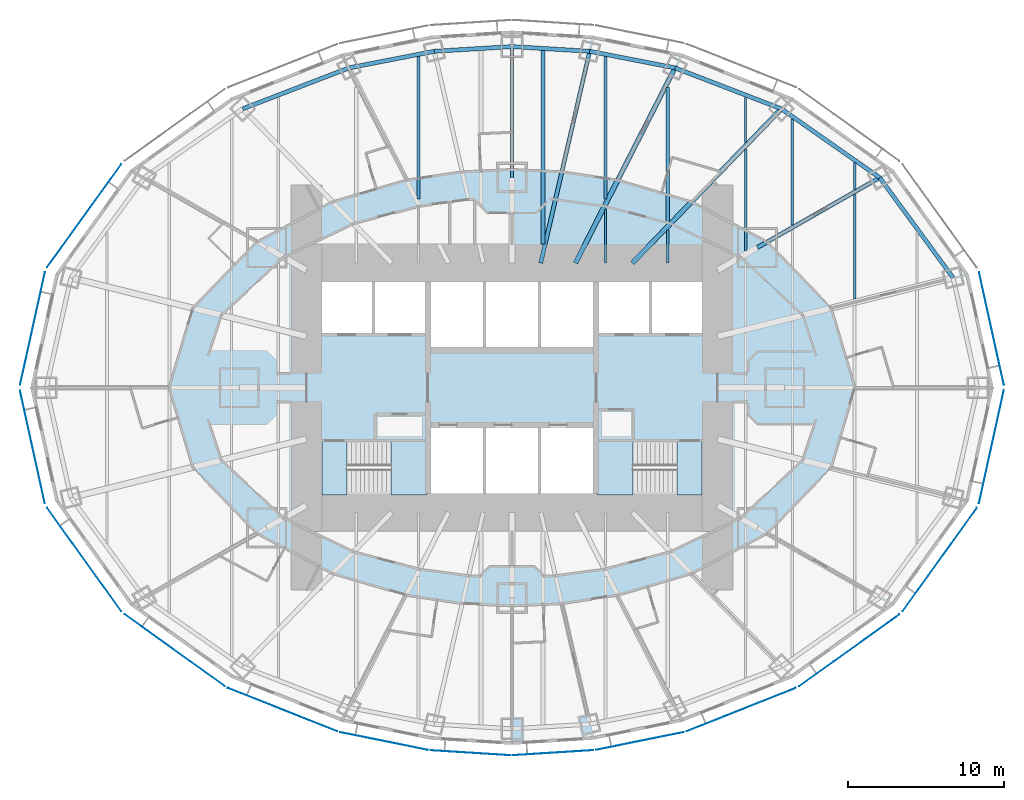
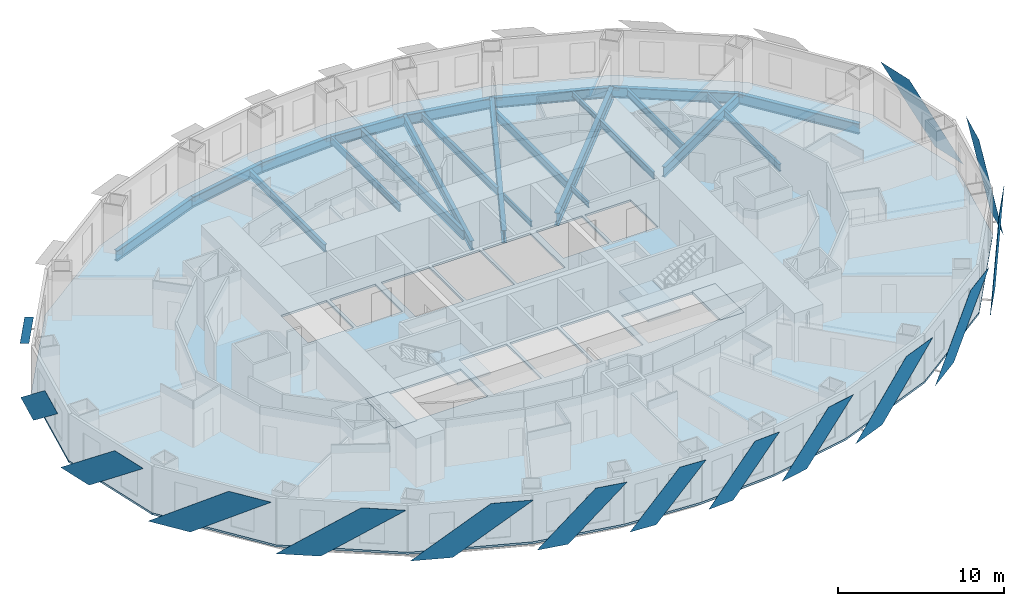
# One storey, part 3 of 15: 24 beams, 15 plates, 5 slabs, 2 elements without a shape of their own.
"""IFC4 building model written with IfcOpenShell, lengths in metres."""

from ifc_helpers import new_model, si_unit, direction, frame, origin, origin_2d, place, context, subcontext, project, spatial, polyline, i_section, outline, extrude, material, layer, layer_set, material_profile, profile_set, type_object, element, aggregate, save


model = new_model("IFC4")

# Units and contexts
model_context = context("Model", 3, precision=1e-05, world=origin(), true_north=direction((0.0, 1.0)))
body_context = subcontext(model_context, "Body", "Model", "MODEL_VIEW")
ifc_project = project(units=[si_unit("LENGTHUNIT", "METRE"), si_unit("AREAUNIT", "SQUARE_METRE"), si_unit("VOLUMEUNIT", "CUBIC_METRE"), si_unit("PLANEANGLEUNIT", "RADIAN"), si_unit("MASSUNIT", "GRAM", prefix="KILO")], contexts=[model_context])

# Site, building, storey
site_placement = place(None, origin())
site = spatial("IfcSite", under=ifc_project, at=site_placement, CompositionType="ELEMENT")
building_placement = place(site_placement, origin())
building = spatial("IfcBuilding", under=site, at=building_placement, Name="Lantaw Convention Tower", CompositionType="ELEMENT")
storey_placement = place(building_placement, frame((0.0, 0.0, 76.60009765625)))
storey = spatial("IfcBuildingStorey", under=building, at=storey_placement, Name="L17", CompositionType="ELEMENT", Elevation=76.60009765625)

# Beams
ifc_material_1 = material(Name="Steel ASTM A992", Category="steel")
ifc_material_profile_1 = material_profile(ifc_material_1, i_section(OverallWidth=0.2666015625, OverallDepth=0.76953125, WebThickness=0.015625, FlangeThickness=0.025390625, FilletRadius=0.0126953125, at=origin_2d()), Name="W30X132")
ifc_profile_set_1 = profile_set([ifc_material_profile_1], Name="Steel ASTM A992")
beam_type_1 = type_object("IfcBeamType", Name="Beam E W30X132", PredefinedType="SPANDREL", material=ifc_profile_set_1)
beam_1_placement = place(storey_placement, frame((28.31787109375, 7.060302734375, -0.534912109375), z_axis=(-0.591270709086, 0.806473154281, 0.0), x_axis=(-0.806473154281, -0.591270709086, 0.0)))
element("IfcBeam", 1, at=beam_1_placement, inside=storey, type_object=beam_type_1, Name="Edge beam 2", PredefinedType="SPANDREL", context=body_context, shape_type="SweptSolid", body=[
    extrude(i_section(OverallWidth=0.2666015625, OverallDepth=0.76953125, WebThickness=0.015625, FlangeThickness=0.025390625, FilletRadius=0.0126953125, at=origin_2d()), origin(), (0.0, 0.0, 1.0), 7.970703125),
])
beam_2_placement = place(storey_placement, frame((23.60498046875, 13.488525390625, -0.534912109375), z_axis=(-0.81942686407, 0.57318375277, 0.0), x_axis=(-0.57318375277, -0.81942686407, 0.0)))
element("IfcBeam", 2, at=beam_2_placement, inside=storey, type_object=beam_type_1, Name="Edge beam 3", PredefinedType="SPANDREL", context=body_context, shape_type="SweptSolid", body=[
    extrude(i_section(OverallWidth=0.2666015625, OverallDepth=0.76953125, WebThickness=0.015625, FlangeThickness=0.025390625, FilletRadius=0.0126953125, at=origin_2d()), origin(), (0.0, 0.0, 1.0), 7.70556640625),
])
beam_3_placement = place(storey_placement, frame((17.290771484375, 17.9052734375, -0.534912109375), z_axis=(-0.933232900641, 0.359271976588, 0.0), x_axis=(-0.359271976588, -0.933232900641, 0.0)))
element("IfcBeam", 3, at=beam_3_placement, inside=storey, type_object=beam_type_1, Name="Edge beam 4", PredefinedType="SPANDREL", context=body_context, shape_type="SweptSolid", body=[
    extrude(i_section(OverallWidth=0.2666015625, OverallDepth=0.76953125, WebThickness=0.015625, FlangeThickness=0.025390625, FilletRadius=0.0126953125, at=origin_2d()), origin(), (0.0, 0.0, 1.0), 7.316650390625),
])
beam_4_placement = place(storey_placement, frame((10.462646484375, 20.533935546875, -0.534912109375), z_axis=(-0.981636565323, 0.190760723474, 0.0), x_axis=(-0.190760723474, -0.981636565323, 0.0)))
element("IfcBeam", 4, at=beam_4_placement, inside=storey, type_object=beam_type_1, Name="Edge beam 5", PredefinedType="SPANDREL", context=body_context, shape_type="SweptSolid", body=[
    extrude(i_section(OverallWidth=0.2666015625, OverallDepth=0.76953125, WebThickness=0.015625, FlangeThickness=0.025390625, FilletRadius=0.0126953125, at=origin_2d()), origin(), (0.0, 0.0, 1.0), 5.578857421875),
])
for number, where, z_axis, x_axis, name in (
    (5, (4.986328125, 21.59814453125, -0.534912109375), (-0.998173858406, 0.060406526096, 0.0), (-0.060406526096, -0.998173858406, 0.0), "Edge beam 6"),
    (6, (0.0, 21.89990234375, -0.534912109375), (-0.998173858406, -0.060406526096, 0.0), (0.060406526096, -0.998173858406, 0.0), "Edge beam 7"),
):
    element("IfcBeam", number, at=place(storey_placement, frame(where, z_axis=z_axis, x_axis=x_axis)), inside=storey, type_object=beam_type_1, Name=name, PredefinedType="SPANDREL", context=body_context, shape_type="SweptSolid", body=[
        extrude(i_section(OverallWidth=0.2666015625, OverallDepth=0.76953125, WebThickness=0.015625, FlangeThickness=0.025390625, FilletRadius=0.0126953125, at=origin_2d()), origin(), (0.0, 0.0, 1.0), 4.995361328125),
    ])
beam_5_placement = place(storey_placement, frame((-4.986328125, 21.59814453125, -0.534912109375), z_axis=(-0.981636565323, -0.190760723474, 0.0), x_axis=(0.190760723474, -0.981636565323, 0.0)))
element("IfcBeam", 7, at=beam_5_placement, inside=storey, type_object=beam_type_1, Name="Edge beam 8", PredefinedType="SPANDREL", context=body_context, shape_type="SweptSolid", body=[
    extrude(i_section(OverallWidth=0.2666015625, OverallDepth=0.76953125, WebThickness=0.015625, FlangeThickness=0.025390625, FilletRadius=0.0126953125, at=origin_2d()), origin(), (0.0, 0.0, 1.0), 5.578857421875),
])
beam_6_placement = place(storey_placement, frame((-10.462646484375, 20.533935546875, -0.534912109375), z_axis=(-0.933232900641, -0.359271976588, 0.0), x_axis=(0.359271976588, -0.933232900641, 0.0)))
element("IfcBeam", 8, at=beam_6_placement, inside=storey, type_object=beam_type_1, Name="Edge beam 9", PredefinedType="SPANDREL", context=body_context, shape_type="SweptSolid", body=[
    extrude(i_section(OverallWidth=0.2666015625, OverallDepth=0.76953125, WebThickness=0.015625, FlangeThickness=0.025390625, FilletRadius=0.0126953125, at=origin_2d()), origin(), (0.0, 0.0, 1.0), 7.316650390625),
])
ifc_material_profile_2 = material_profile(ifc_material_1, i_section(OverallWidth=0.1650390625, OverallDepth=0.52587890625, WebThickness=0.0087890625, FlangeThickness=0.011474609375, FilletRadius=0.0126953125, at=origin_2d()), Name="W21X44")
ifc_profile_set_2 = profile_set([ifc_material_profile_2], Name="Steel ASTM A992")
beam_type_2 = type_object("IfcBeamType", Name="Beam G W21X44", PredefinedType="BEAM", material=ifc_profile_set_2)
beam_7_placement = place(storey_placement, frame((0.0, 13.5, -0.4130859375), z_axis=(0.0, 1.0, 0.0), x_axis=(-1.0, 0.0, 0.0)))
element("IfcBeam", 9, at=beam_7_placement, inside=storey, type_object=beam_type_2, Name="Floor girder on ray 7", PredefinedType="BEAM", context=body_context, shape_type="SweptSolid", body=[
    extrude(i_section(OverallWidth=0.1650390625, OverallDepth=0.52587890625, WebThickness=0.0087890625, FlangeThickness=0.011474609375, FilletRadius=0.0126953125, at=origin_2d()), origin(), (0.0, 0.0, 1.0), 8.39990234375),
])
ifc_material_profile_3 = material_profile(ifc_material_1, i_section(OverallWidth=0.25390625, OverallDepth=0.683349609375, WebThickness=0.012451171875, FlangeThickness=0.01904296875, FilletRadius=0.01513671875, at=origin_2d()), Name="W27X94")
ifc_profile_set_3 = profile_set([ifc_material_profile_3], Name="Steel ASTM A992")
beam_type_3 = type_object("IfcBeamType", Name="Beam G W27X94", PredefinedType="BEAM", material=ifc_profile_set_3)
beam_8_placement = place(storey_placement, frame((1.846923828125, 8.0, -0.49169921875), z_axis=(0.224952773175, 0.97436966796, 0.0), x_axis=(-0.97436966796, 0.224952773175, 0.0)))
element("IfcBeam", 10, at=beam_8_placement, inside=storey, type_object=beam_type_3, Name="Floor girder on ray 6", PredefinedType="BEAM", context=body_context, shape_type="SweptSolid", body=[
    extrude(i_section(OverallWidth=0.25390625, OverallDepth=0.683349609375, WebThickness=0.012451171875, FlangeThickness=0.01904296875, FilletRadius=0.01513671875, at=origin_2d()), origin(), (0.0, 0.0, 1.0), 13.955810546875),
])
ifc_material_profile_4 = material_profile(ifc_material_1, i_section(OverallWidth=0.2666015625, OverallDepth=0.7568359375, WebThickness=0.013916015625, FlangeThickness=0.019287109375, FilletRadius=0.0126953125, at=origin_2d()), Name="W30X108")
ifc_profile_set_4 = profile_set([ifc_material_profile_4], Name="Steel ASTM A992")
beam_type_4 = type_object("IfcBeamType", Name="Beam G W30X108", PredefinedType="BEAM", material=ifc_profile_set_4)
beam_9_placement = place(storey_placement, frame((15.75, 9.0, -0.528564453125), z_axis=(0.868244802791, 0.496136032179, 0.0), x_axis=(-0.496136032179, 0.868244802791, 0.0)))
element("IfcBeam", 11, at=beam_9_placement, inside=storey, type_object=beam_type_4, Name="Floor girder on ray 3", PredefinedType="BEAM", context=body_context, shape_type="SweptSolid", body=[
    extrude(i_section(OverallWidth=0.2666015625, OverallDepth=0.7568359375, WebThickness=0.013916015625, FlangeThickness=0.019287109375, FilletRadius=0.0126953125, at=origin_2d()), origin(), (0.0, 0.0, 1.0), 9.046875),
])
ifc_material_profile_5 = material_profile(ifc_material_1, i_section(OverallWidth=0.307373046875, OverallDepth=0.922119140625, WebThickness=0.018310546875, FlangeThickness=0.030029296875, FilletRadius=0.0126953125, at=origin_2d()), Name="W36X182")
ifc_profile_set_5 = profile_set([ifc_material_profile_5], Name="Steel ASTM A992")
beam_type_5 = type_object("IfcBeamType", Name="Beam G W36X182", PredefinedType="BEAM", material=ifc_profile_set_5)
beam_10_placement = place(storey_placement, frame((7.7255859375, 8.0, -0.611083984375), z_axis=(0.694649884291, 0.719347995239, 0.0), x_axis=(-0.719347995239, 0.694649884291, 0.0)))
element("IfcBeam", 12, at=beam_10_placement, inside=storey, type_object=beam_type_5, Name="Floor girder on ray 4", PredefinedType="BEAM", context=body_context, shape_type="SweptSolid", body=[
    extrude(i_section(OverallWidth=0.307373046875, OverallDepth=0.922119140625, WebThickness=0.018310546875, FlangeThickness=0.030029296875, FilletRadius=0.0126953125, at=origin_2d()), origin(), (0.0, 0.0, 1.0), 13.769775390625),
])
beam_11_placement = place(storey_placement, frame((4.076171875, 8.0, -0.611083984375), z_axis=(0.453997016122, 0.891003203896, 0.0), x_axis=(-0.891003203896, 0.453997016122, 0.0)))
element("IfcBeam", 13, at=beam_11_placement, inside=storey, type_object=beam_type_5, Name="Floor girder on ray 5", PredefinedType="BEAM", context=body_context, shape_type="SweptSolid", body=[
    extrude(i_section(OverallWidth=0.307373046875, OverallDepth=0.922119140625, WebThickness=0.018310546875, FlangeThickness=0.030029296875, FilletRadius=0.0126953125, at=origin_2d()), origin(), (0.0, 0.0, 1.0), 14.067138671875),
])
ifc_material_profile_6 = material_profile(ifc_material_1, i_section(OverallWidth=0.140380859375, OverallDepth=0.40380859375, WebThickness=0.007080078125, FlangeThickness=0.01123046875, FilletRadius=0.01025390625, at=origin_2d()), Name="W16X31")
ifc_profile_set_6 = profile_set([ifc_material_profile_6], Name="Steel ASTM A992")
beam_type_6 = type_object("IfcBeamType", Name="Beam J W16X31", PredefinedType="JOIST", material=ifc_profile_set_6)
beam_12_placement = place(storey_placement, frame((6.0, 8.0, -0.35205078125), z_axis=(0.0, 1.0, 0.0), x_axis=(-1.0, 0.0, 0.0)))
element("IfcBeam", 14, at=beam_12_placement, inside=storey, type_object=beam_type_6, Name="Floor joist", PredefinedType="JOIST", context=body_context, shape_type="SweptSolid", body=[
    extrude(i_section(OverallWidth=0.140380859375, OverallDepth=0.40380859375, WebThickness=0.007080078125, FlangeThickness=0.01123046875, FilletRadius=0.01025390625, at=origin_2d()), origin(), (0.0, 0.0, 1.0), 3.437255859375),
])
beam_13_placement = place(storey_placement, frame((10.0, 8.0, -0.35205078125), z_axis=(0.0, 1.0, 0.0), x_axis=(-1.0, 0.0, 0.0)))
element("IfcBeam", 15, at=beam_13_placement, inside=storey, type_object=beam_type_6, Name="Floor joist", PredefinedType="JOIST", context=body_context, shape_type="SweptSolid", body=[
    extrude(i_section(OverallWidth=0.140380859375, OverallDepth=0.40380859375, WebThickness=0.007080078125, FlangeThickness=0.01123046875, FilletRadius=0.01025390625, at=origin_2d()), origin(), (0.0, 0.0, 1.0), 2.134033203125),
])
beam_14_placement = place(storey_placement, frame((15.0, 15.754150390625, -0.35205078125), z_axis=(0.0, 1.0, 0.0), x_axis=(-1.0, 0.0, 0.0)))
element("IfcBeam", 16, at=beam_14_placement, inside=storey, type_object=beam_type_6, Name="Floor joist", PredefinedType="JOIST", context=body_context, shape_type="SweptSolid", body=[
    extrude(i_section(OverallWidth=0.140380859375, OverallDepth=0.40380859375, WebThickness=0.007080078125, FlangeThickness=0.01123046875, FilletRadius=0.01025390625, at=origin_2d()), origin(), (0.0, 0.0, 1.0), 2.89013671875),
])
beam_15_placement = place(storey_placement, frame((22.0, 12.72509765625, -0.35205078125), z_axis=(0.0, 1.0, 0.0), x_axis=(-1.0, 0.0, 0.0)))
element("IfcBeam", 17, at=beam_15_placement, inside=storey, type_object=beam_type_6, Name="Floor joist", PredefinedType="JOIST", context=body_context, shape_type="SweptSolid", body=[
    extrude(i_section(OverallWidth=0.140380859375, OverallDepth=0.40380859375, WebThickness=0.007080078125, FlangeThickness=0.01123046875, FilletRadius=0.01025390625, at=origin_2d()), origin(), (0.0, 0.0, 1.0), 1.723388671875),
])
ifc_material_profile_7 = material_profile(ifc_material_1, i_section(OverallWidth=0.1650390625, OverallDepth=0.52587890625, WebThickness=0.0087890625, FlangeThickness=0.011474609375, FilletRadius=0.0126953125, at=origin_2d()), Name="W21X44")
ifc_profile_set_7 = profile_set([ifc_material_profile_7], Name="Steel ASTM A992")
beam_type_7 = type_object("IfcBeamType", Name="Beam J W21X44", PredefinedType="JOIST", material=ifc_profile_set_7)
beam_16_placement = place(storey_placement, frame((15.0, 8.803955078125, -0.4130859375), z_axis=(0.0, 1.0, 0.0), x_axis=(-1.0, 0.0, 0.0)))
element("IfcBeam", 18, at=beam_16_placement, inside=storey, type_object=beam_type_7, Name="Floor joist", PredefinedType="JOIST", context=body_context, shape_type="SweptSolid", body=[
    extrude(i_section(OverallWidth=0.1650390625, OverallDepth=0.52587890625, WebThickness=0.0087890625, FlangeThickness=0.011474609375, FilletRadius=0.0126953125, at=origin_2d()), origin(), (0.0, 0.0, 1.0), 6.5078125),
])
beam_17_placement = place(storey_placement, frame((18.0, 10.439208984375, -0.4130859375), z_axis=(0.0, 1.0, 0.0), x_axis=(-1.0, 0.0, 0.0)))
element("IfcBeam", 19, at=beam_17_placement, inside=storey, type_object=beam_type_7, Name="Floor joist", PredefinedType="JOIST", context=body_context, shape_type="SweptSolid", body=[
    extrude(i_section(OverallWidth=0.1650390625, OverallDepth=0.52587890625, WebThickness=0.0087890625, FlangeThickness=0.011474609375, FilletRadius=0.0126953125, at=origin_2d()), origin(), (0.0, 0.0, 1.0), 6.80712890625),
])
beam_18_placement = place(storey_placement, frame((22.0, 5.693359375, -0.4130859375), z_axis=(0.0, 1.0, 0.0), x_axis=(-1.0, 0.0, 0.0)))
element("IfcBeam", 20, at=beam_18_placement, inside=storey, type_object=beam_type_7, Name="Floor joist", PredefinedType="JOIST", context=body_context, shape_type="SweptSolid", body=[
    extrude(i_section(OverallWidth=0.1650390625, OverallDepth=0.52587890625, WebThickness=0.0087890625, FlangeThickness=0.011474609375, FilletRadius=0.0126953125, at=origin_2d()), origin(), (0.0, 0.0, 1.0), 6.724609375),
])
ifc_material_profile_8 = material_profile(ifc_material_1, i_section(OverallWidth=0.2099609375, OverallDepth=0.535888671875, WebThickness=0.010986328125, FlangeThickness=0.017333984375, FilletRadius=0.012939453125, at=origin_2d()), Name="W21X68")
ifc_profile_set_8 = profile_set([ifc_material_profile_8], Name="Steel ASTM A992")
beam_type_8 = type_object("IfcBeamType", Name="Beam J W21X68", PredefinedType="JOIST", material=ifc_profile_set_8)
for number, where, z_axis, x_axis, name in (
    (21, (-6.0, 12.1142578125, -0.41796875), (0.0, 1.0, 0.0), (-1.0, 0.0, 0.0), "Floor joist"),
    (22, (6.0, 12.1142578125, -0.41796875), (0.0, 1.0, 0.0), (-1.0, 0.0, 0.0), "Floor joist"),
):
    element("IfcBeam", number, at=place(storey_placement, frame(where, z_axis=z_axis, x_axis=x_axis)), inside=storey, type_object=beam_type_8, Name=name, PredefinedType="JOIST", context=body_context, shape_type="SweptSolid", body=[
        extrude(i_section(OverallWidth=0.2099609375, OverallDepth=0.535888671875, WebThickness=0.010986328125, FlangeThickness=0.017333984375, FilletRadius=0.012939453125, at=origin_2d()), origin(), (0.0, 0.0, 1.0), 9.15087890625),
    ])
ifc_material_profile_9 = material_profile(ifc_material_1, i_section(OverallWidth=0.227783203125, OverallDepth=0.60205078125, WebThickness=0.010498046875, FlangeThickness=0.014892578125, FilletRadius=0.012939453125, at=origin_2d()), Name="W24X68")
ifc_profile_set_9 = profile_set([ifc_material_profile_9], Name="Steel ASTM A992")
beam_type_9 = type_object("IfcBeamType", Name="Beam J W24X68", PredefinedType="JOIST", material=ifc_profile_set_9)
beam_19_placement = place(storey_placement, frame((10.0, 10.576416015625, -0.451171875), z_axis=(0.0, 1.0, 0.0), x_axis=(-1.0, 0.0, 0.0)))
element("IfcBeam", 23, at=beam_19_placement, inside=storey, type_object=beam_type_9, Name="Floor joist", PredefinedType="JOIST", context=body_context, shape_type="SweptSolid", body=[
    extrude(i_section(OverallWidth=0.227783203125, OverallDepth=0.60205078125, WebThickness=0.010498046875, FlangeThickness=0.014892578125, FilletRadius=0.012939453125, at=origin_2d()), origin(), (0.0, 0.0, 1.0), 8.711181640625),
])
ifc_material_profile_10 = material_profile(ifc_material_1, i_section(OverallWidth=0.25390625, OverallDepth=0.700927734375, WebThickness=0.015380859375, FlangeThickness=0.02783203125, FilletRadius=0.01513671875, at=origin_2d()), Name="W27X129")
ifc_profile_set_10 = profile_set([ifc_material_profile_10], Name="Steel ASTM A992")
beam_type_10 = type_object("IfcBeamType", Name="Beam J W27X129", PredefinedType="JOIST", material=ifc_profile_set_10)
beam_20_placement = place(storey_placement, frame((2.0, 9.2275390625, -0.500732421875), z_axis=(0.0, 1.0, 0.0), x_axis=(-1.0, 0.0, 0.0)))
element("IfcBeam", 24, at=beam_20_placement, inside=storey, type_object=beam_type_10, Name="Floor joist", PredefinedType="JOIST", context=body_context, shape_type="SweptSolid", body=[
    extrude(i_section(OverallWidth=0.25390625, OverallDepth=0.700927734375, WebThickness=0.015380859375, FlangeThickness=0.02783203125, FilletRadius=0.01513671875, at=origin_2d()), origin(), (0.0, 0.0, 1.0), 12.417724609375),
])

# Slab
ifc_material_2 = material(Name="Concrete C35/45", Category="concrete")
ifc_layer_1 = layer(ifc_material_2, 0.14990234375)
ifc_layer_set_1 = layer_set([ifc_layer_1], Name="Floor slab 150")
slab_type_1 = type_object("IfcSlabType", Name="Floor slab 150", PredefinedType="FLOOR", material=ifc_layer_set_1)
slab_1_placement = place(storey_placement, frame((0.0, 0.0, -0.150146484375)))
element("IfcSlab", 25, at=slab_1_placement, inside=storey, type_object=slab_type_1, Name="L17 floor slab", PredefinedType="FLOOR", context=body_context, shape_type="SweptSolid", body=[
    extrude(outline(polyline([(29.315185546875, -7.29541015625), (30.923095703125, 0.0), (29.315185546875, 7.29541015625), (24.50634765625, 13.98046875), (18.018798828125, 18.630126953125), (10.9404296875, 21.44189453125), (5.223876953125, 22.59521484375), (0.0, 22.9248046875), (-5.223876953125, 22.59521484375), (-10.9404296875, 21.44189453125), (-18.018798828125, 18.630126953125), (-24.50634765625, 13.98046875), (-29.315185546875, 7.29541015625), (-30.923095703125, 0.0), (-29.315185546875, -7.29541015625), (-24.50634765625, -13.98046875), (-18.018798828125, -18.630126953125), (-10.9404296875, -21.44189453125), (-5.223876953125, -22.59521484375), (0.0, -22.9248046875), (5.223876953125, -22.59521484375), (10.9404296875, -21.44189453125), (18.018798828125, -18.630126953125), (24.50634765625, -13.98046875), (29.315185546875, -7.29541015625)]), holes=[polyline([(-5.60009765625, -3.5), (-12.199951171875, -3.5), (-12.199951171875, -6.800048828125), (-5.60009765625, -6.800048828125), (-5.60009765625, -3.5)]), polyline([(-1.86669921875, -6.800048828125), (-1.86669921875, -2.60009765625), (-5.199951171875, -2.60009765625), (-5.199951171875, -6.800048828125), (-1.86669921875, -6.800048828125)]), polyline([(-1.86669921875, 2.60009765625), (-1.86669921875, 6.800048828125), (-5.199951171875, 6.800048828125), (-5.199951171875, 2.60009765625), (-1.86669921875, 2.60009765625)]), polyline([(1.666748046875, 6.800048828125), (-1.666748046875, 6.800048828125), (-1.666748046875, 2.60009765625), (1.666748046875, 2.60009765625), (1.666748046875, 6.800048828125)]), polyline([(-9.0, 3.5), (-9.0, 6.800048828125), (-12.199951171875, 6.800048828125), (-12.199951171875, 3.5), (-9.0, 3.5)]), polyline([(-5.60009765625, 3.5), (-5.60009765625, 6.800048828125), (-8.800048828125, 6.800048828125), (-8.800048828125, 3.5), (-5.60009765625, 3.5)]), polyline([(12.199951171875, -3.5), (5.60009765625, -3.5), (5.60009765625, -6.800048828125), (12.199951171875, -6.800048828125), (12.199951171875, -3.5)]), polyline([(1.666748046875, -6.800048828125), (1.666748046875, -2.60009765625), (-1.666748046875, -2.60009765625), (-1.666748046875, -6.800048828125), (1.666748046875, -6.800048828125)]), polyline([(5.199951171875, -6.800048828125), (5.199951171875, -2.60009765625), (1.86669921875, -2.60009765625), (1.86669921875, -6.800048828125), (5.199951171875, -6.800048828125)]), polyline([(5.199951171875, 6.800048828125), (1.86669921875, 6.800048828125), (1.86669921875, 2.60009765625), (5.199951171875, 2.60009765625), (5.199951171875, 6.800048828125)]), polyline([(8.800048828125, 3.5), (8.800048828125, 6.800048828125), (5.60009765625, 6.800048828125), (5.60009765625, 3.5), (8.800048828125, 3.5)]), polyline([(12.199951171875, 3.5), (12.199951171875, 6.800048828125), (9.0, 6.800048828125), (9.0, 3.5), (12.199951171875, 3.5)])]), origin(), (0.0, 0.0, 1.0), 0.150146484375),
])

# Plates
ifc_material_3 = material(Name="Perforated aluminium sheet, pale silver finish", Category="aluminium")
ifc_layer_2 = layer(ifc_material_3, 0.006103515625)
ifc_layer_set_2 = layer_set([ifc_layer_2], Name="Perforated aluminium solar SCREEN panel")
plate_type = type_object("IfcPlateType", Name="Perforated aluminium solar SCREEN panel", PredefinedType="SHEET", material=ifc_layer_set_2)
plate_1_placement = place(storey_placement, frame((31.5810546875, 0.17919921875, -0.175048828125), z_axis=(-0.97655943558, -0.215247921852, 3.0295023e-05), x_axis=(-0.215247921951, 0.976559436028, 3.12e-10)))
element("IfcPlate", 26, at=plate_1_placement, inside=storey, type_object=plate_type, Name="Solar SCREEN panel", PredefinedType="SHEET", context=body_context, shape_type="SweptSolid", body=[
    extrude(outline(polyline([(0.0, 0.0), (2.551002212329069, 3.3881317890172014e-21), (7.402498252985418, -3.739990233781388), (4.851734458487411, -3.7399902353733405), (0.0, 0.0)])), origin(), (0.0, 0.0, -1.0), 0.006103515625),
])
plate_2_placement = place(storey_placement, frame((-25.0810546875, 14.34765625, -0.175048828125), z_axis=(0.811791382613, -0.583947558463, 9.019268e-06), x_axis=(-0.583947558486, -0.811791382646, 0.0)))
element("IfcPlate", 27, at=plate_2_placement, inside=storey, type_object=plate_type, Name="Solar SCREEN panel", PredefinedType="SHEET", context=body_context, shape_type="SweptSolid", body=[
    extrude(outline(polyline([(0.0, 0.0), (2.809541672291133, 0.0), (8.163093158837512, -3.739990234527119), (5.353551486546379, -3.739990234527119), (0.0, 0.0)])), origin(), (0.0, 0.0, -1.0), 0.006103515625),
])
plate_3_placement = place(storey_placement, frame((-29.98779296875, 7.408203125, -0.175048828125), z_axis=(-0.97655943558, 0.215247921852, 3.0295023e-05), x_axis=(-0.215247921951, -0.976559436028, -3.12e-10)))
element("IfcPlate", 28, at=plate_3_placement, inside=storey, type_object=plate_type, Name="Solar SCREEN panel", PredefinedType="SHEET", context=body_context, shape_type="SweptSolid", body=[
    extrude(outline(polyline([(0.0, 0.0), (2.5507637944980077, 6.776263578034403e-21), (7.402498250651261, 3.7399902384013473), (4.851496038322192, 3.739990236809246), (0.0, 0.0)])), origin(), (0.0, 0.0, -1.0), 0.006103515625),
])
plate_4_placement = place(storey_placement, frame((-31.5810546875, -0.17919921875, -0.175048828125), z_axis=(0.97655943558, 0.215247921852, 3.0295023e-05), x_axis=(0.215247921951, -0.976559436028, 3.12e-10)))
element("IfcPlate", 29, at=plate_4_placement, inside=storey, type_object=plate_type, Name="Solar SCREEN panel", PredefinedType="SHEET", context=body_context, shape_type="SweptSolid", body=[
    extrude(outline(polyline([(0.0, 0.0), (2.551002212329069, 3.3881317890172014e-21), (7.402498252985418, -3.739990233781388), (4.851734458487411, -3.7399902353733405), (0.0, 0.0)])), origin(), (0.0, 0.0, -1.0), 0.006103515625),
])
plate_5_placement = place(storey_placement, frame((-29.847900390625, -7.720947265625, -0.175048828125), z_axis=(-0.811791382613, -0.583947558463, 9.019268e-06), x_axis=(0.583947558486, -0.811791382646, 0.0)))
element("IfcPlate", 30, at=plate_5_placement, inside=storey, type_object=plate_type, Name="Solar SCREEN panel", PredefinedType="SHEET", context=body_context, shape_type="SweptSolid", body=[
    extrude(outline(polyline([(0.0, 0.0), (2.809541672291133, 0.0), (8.163093158837512, 3.739990234527119), (5.353551486546379, 3.739990234527119), (0.0, 0.0)])), origin(), (0.0, 0.0, -1.0), 0.006103515625),
])
plate_6_placement = place(storey_placement, frame((-24.872314453125, -14.555908203125, -0.175048828125), z_axis=(-0.582561421998, -0.812786681331, 1.5819417e-05), x_axis=(0.812786681433, -0.582561422071, 0.0)))
element("IfcPlate", 31, at=plate_6_placement, inside=storey, type_object=plate_type, Name="Solar SCREEN panel", PredefinedType="SHEET", context=body_context, shape_type="SweptSolid", body=[
    extrude(outline(polyline([(0.0, 0.0), (2.721095180812288, 3.3881317890172014e-21), (7.903118572410756, 3.739990234842974), (5.182023391598468, 3.739990234842974), (0.0, 0.0)])), origin(), (0.0, 0.0, -1.0), 0.006103515625),
])
plate_7_placement = place(storey_placement, frame((-18.232177734375, -19.278076171875, -0.175048828125), z_axis=(0.369183532846, 0.929356508016, 9.163296e-06), x_axis=(0.929356508055, -0.369183532862, 0.0)))
element("IfcPlate", 32, at=plate_7_placement, inside=storey, type_object=plate_type, Name="Solar SCREEN panel", PredefinedType="SHEET", context=body_context, shape_type="SweptSolid", body=[
    extrude(outline(polyline([(0.0, 0.0), (2.594936467166582, -1.6940658945086007e-21), (7.5321069917580825, -3.739990234532016), (4.937170524591499, -3.739990234532016), (0.0, 0.0)])), origin(), (0.0, 0.0, -1.0), 0.006103515625),
])
plate_8_placement = place(storey_placement, frame((-11.03271484375, -22.117919921875, -0.175048828125), z_axis=(0.197781876197, 0.980246055561, 2.418535e-06), x_axis=(0.980246055563, -0.197781876198, 1.46e-10)))
element("IfcPlate", 33, at=plate_8_placement, inside=storey, type_object=plate_type, Name="Solar SCREEN panel", PredefinedType="SHEET", context=body_context, shape_type="SweptSolid", body=[
    extrude(outline(polyline([(0.0, 0.0), (1.9867801772236329, -3.1763735522036263e-22), (5.743587245978565, -3.7399902335493134), (3.7568553553458006, -3.739990234128105), (0.0, 0.0)])), origin(), (0.0, 0.0, -1.0), 0.006103515625),
])
plate_9_placement = place(storey_placement, frame((-5.221923828125, -23.27783203125, -0.175048828125), z_axis=(0.062923905251, 0.998018327468, 1.3605496e-05), x_axis=(0.998018327561, -0.062923905257, 9.3e-10)))
element("IfcPlate", 34, at=plate_9_placement, inside=storey, type_object=plate_type, Name="Solar SCREEN panel", PredefinedType="SHEET", context=body_context, shape_type="SweptSolid", body=[
    extrude(outline(polyline([(0.0, 0.0), (1.7828375409377817, -2.117582368135751e-22), (5.143985963027618, -3.739990229938699), (3.3611637843713935, -3.7399902332537565), (0.0, 0.0)])), origin(), (0.0, 0.0, -1.0), 0.006103515625),
])
plate_10_placement = place(storey_placement, frame((0.088134765625, -23.6015625, -0.175048828125), z_axis=(0.062923905251, -0.998018327468, 1.3605496e-05), x_axis=(0.998018327561, 0.062923905257, -9.3e-10)))
element("IfcPlate", 35, at=plate_10_placement, inside=storey, type_object=plate_type, Name="Solar SCREEN panel", PredefinedType="SHEET", context=body_context, shape_type="SweptSolid", body=[
    extrude(outline(polyline([(0.0, 0.0), (1.782822178656225, -2.117582368135751e-22), (5.143985956073316, 3.7399902395036517), (3.3611484151355353, 3.7399902361885653), (0.0, 0.0)])), origin(), (0.0, 0.0, -1.0), 0.006103515625),
])
plate_11_placement = place(storey_placement, frame((5.402587890625, -23.25390625, -0.175048828125), z_axis=(0.197781876197, -0.980246055561, 2.418535e-06), x_axis=(0.980246055563, 0.197781876198, -1.46e-10)))
element("IfcPlate", 36, at=plate_11_placement, inside=storey, type_object=plate_type, Name="Solar SCREEN panel", PredefinedType="SHEET", context=body_context, shape_type="SweptSolid", body=[
    extrude(outline(polyline([(0.0, 0.0), (1.9867318906327642, 1.0587911840678754e-22), (5.743587244888999, 3.7399902352225842), (3.7568070676653664, 3.7399902346437783), (0.0, 0.0)])), origin(), (0.0, 0.0, -1.0), 0.006103515625),
])
plate_12_placement = place(storey_placement, frame((11.232177734375, -22.058837890625, -0.175048828125), z_axis=(0.369183532846, -0.929356508016, 9.163296e-06), x_axis=(0.929356508055, 0.369183532862, 0.0)))
element("IfcPlate", 37, at=plate_12_placement, inside=storey, type_object=plate_type, Name="Solar SCREEN panel", PredefinedType="SHEET", context=body_context, shape_type="SweptSolid", body=[
    extrude(outline(polyline([(0.0, 0.0), (2.594936467166582, 1.6940658945086007e-21), (7.5321069917580825, 3.739990234532016), (4.937170524591499, 3.739990234532016), (0.0, 0.0)])), origin(), (0.0, 0.0, -1.0), 0.006103515625),
])
plate_13_placement = place(storey_placement, frame((18.44873046875, -19.159912109375, -0.175048828125), z_axis=(-0.582561421998, 0.812786681331, 1.5819417e-05), x_axis=(0.812786681433, 0.582561422071, 0.0)))
element("IfcPlate", 38, at=plate_13_placement, inside=storey, type_object=plate_type, Name="Solar SCREEN panel", PredefinedType="SHEET", context=body_context, shape_type="SweptSolid", body=[
    extrude(outline(polyline([(0.0, 0.0), (2.721095180812288, -3.3881317890172014e-21), (7.903118572410756, -3.739990234842974), (5.182023391598468, -3.739990234842974), (0.0, 0.0)])), origin(), (0.0, 0.0, -1.0), 0.006103515625),
])
plate_14_placement = place(storey_placement, frame((25.0810546875, -14.34765625, -0.175048828125), z_axis=(-0.811791382613, 0.583947558463, 9.019268e-06), x_axis=(0.583947558486, 0.811791382646, 0.0)))
element("IfcPlate", 39, at=plate_14_placement, inside=storey, type_object=plate_type, Name="Solar SCREEN panel", PredefinedType="SHEET", context=body_context, shape_type="SweptSolid", body=[
    extrude(outline(polyline([(0.0, 0.0), (2.809541672291133, 0.0), (8.163093158837512, -3.739990234527119), (5.353551486546379, -3.739990234527119), (0.0, 0.0)])), origin(), (0.0, 0.0, -1.0), 0.006103515625),
])
plate_15_placement = place(storey_placement, frame((29.98779296875, -7.408203125, -0.175048828125), z_axis=(0.97655943558, -0.215247921852, 3.0295023e-05), x_axis=(0.215247921951, 0.976559436028, -3.12e-10)))
element("IfcPlate", 40, at=plate_15_placement, inside=storey, type_object=plate_type, Name="Solar SCREEN panel", PredefinedType="SHEET", context=body_context, shape_type="SweptSolid", body=[
    extrude(outline(polyline([(0.0, 0.0), (2.5507637944980077, 6.776263578034403e-21), (7.402498250651261, 3.7399902384013473), (4.851496038322192, 3.739990236809246), (0.0, 0.0)])), origin(), (0.0, 0.0, -1.0), 0.006103515625),
])

# Stair, slabs
stair_type = type_object("IfcStairType", Name="Exit stair 1500 riser 163.64 in 2 flights", PredefinedType="HALF_TURN_STAIR", material=ifc_material_2)
stair_1_placement = place(storey_placement, origin())
stair_1 = element("IfcStair", 41, at=stair_1_placement, inside=storey, type_object=stair_type, Name="Exit stair S1 L17", PredefinedType="HALF_TURN_STAIR")
ifc_layer_3 = layer(ifc_material_2, 0.199951171875)
ifc_layer_set_3 = layer_set([ifc_layer_3], Name="Stair landing 200")
slab_type_2 = type_object("IfcSlabType", Name="Stair landing 200", PredefinedType="LANDING", material=ifc_layer_set_3)
slab_2_placement = place(storey_placement, frame((0.0, 0.0, -0.2001953125)))
slab_2 = element("IfcSlab", 42, at=slab_2_placement, type_object=slab_type_2, Name="S1 landing 1", PredefinedType="LANDING", context=body_context, shape_type="SweptSolid", body=[
    extrude(outline(polyline([(-12.199951171875, -6.89990234375), (-10.580078125, -6.89990234375), (-10.580078125, -3.39990234375), (-12.199951171875, -3.39990234375), (-12.199951171875, -6.89990234375)])), origin(), (0.0, 0.0, 1.0), 0.2001953125),
])
slab_3_placement = place(storey_placement, frame((0.0, 0.0, 1.599853515625)))
slab_3 = element("IfcSlab", 43, at=slab_3_placement, type_object=slab_type_2, Name="S1 landing 2", PredefinedType="LANDING", context=body_context, shape_type="SweptSolid", body=[
    extrude(outline(polyline([(-7.780029296875, -6.89990234375), (-5.5, -6.89990234375), (-5.5, -3.39990234375), (-7.780029296875, -3.39990234375), (-7.780029296875, -6.89990234375)])), origin(), (0.0, 0.0, 1.0), 0.199951171875),
])
aggregate(stair_1, [slab_2, slab_3])

stair_2_placement = place(storey_placement, origin())
stair_2 = element("IfcStair", 44, at=stair_2_placement, inside=storey, type_object=stair_type, Name="Exit stair S2 L17", PredefinedType="HALF_TURN_STAIR")
slab_4_placement = place(storey_placement, frame((0.0, 0.0, -0.2001953125)))
slab_4 = element("IfcSlab", 45, at=slab_4_placement, type_object=slab_type_2, Name="S2 landing 1", PredefinedType="LANDING", context=body_context, shape_type="SweptSolid", body=[
    extrude(outline(polyline([(10.580078125, -6.89990234375), (12.199951171875, -6.89990234375), (12.199951171875, -3.39990234375), (10.580078125, -3.39990234375), (10.580078125, -6.89990234375)])), origin(), (0.0, 0.0, 1.0), 0.2001953125),
])
slab_5_placement = place(storey_placement, frame((0.0, 0.0, 1.599853515625)))
slab_5 = element("IfcSlab", 46, at=slab_5_placement, type_object=slab_type_2, Name="S2 landing 2", PredefinedType="LANDING", context=body_context, shape_type="SweptSolid", body=[
    extrude(outline(polyline([(5.5, -6.89990234375), (7.780029296875, -6.89990234375), (7.780029296875, -3.39990234375), (5.5, -3.39990234375), (5.5, -6.89990234375)])), origin(), (0.0, 0.0, 1.0), 0.199951171875),
])
aggregate(stair_2, [slab_4, slab_5])

save(model, "model.ifc")
